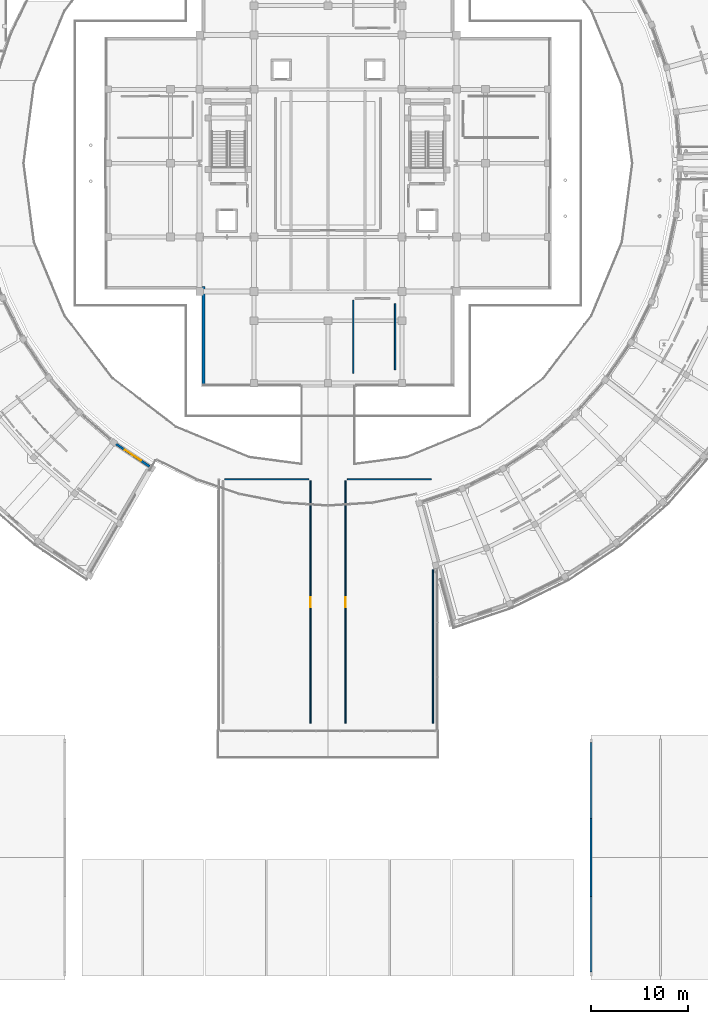
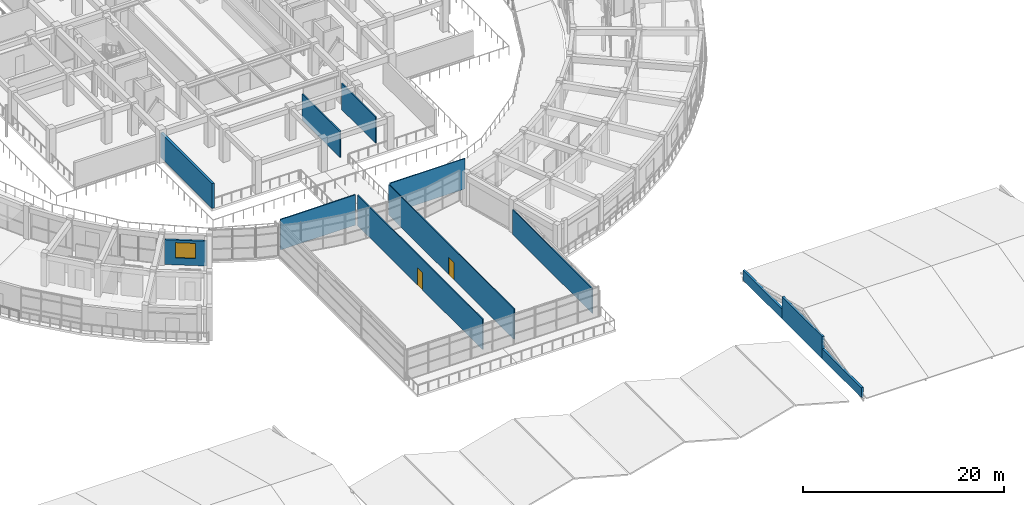
# One storey, part 54 of 83: 12 walls, 2 doors, 1 window, 3 openings.
"""IFC4 building model written with IfcOpenShell, lengths in metres."""

from ifc_helpers import new_model, si_unit, direction, frame, frame_2d, origin, place, context, subcontext, project, spatial, rectangle, extrude, material, layer, layer_set, type_object, element, fill, save


model = new_model("IFC4")

# Units and contexts
model_context = context("Model", 3, precision=1e-05, world=origin(), true_north=direction((0.0, 1.0)))
body_context = subcontext(model_context, "Body", "Model", "MODEL_VIEW")
ifc_project = project(units=[si_unit("LENGTHUNIT", "METRE"), si_unit("AREAUNIT", "SQUARE_METRE"), si_unit("VOLUMEUNIT", "CUBIC_METRE"), si_unit("PLANEANGLEUNIT", "RADIAN"), si_unit("MASSUNIT", "GRAM", prefix="KILO")], contexts=[model_context])

# Site, building, storey
site_placement = place(None, origin())
site = spatial("IfcSite", under=ifc_project, at=site_placement, CompositionType="ELEMENT")
building_placement = place(site_placement, origin())
building = spatial("IfcBuilding", under=site, at=building_placement, Name="Saryqyr Civic Hall", CompositionType="ELEMENT")
storey_placement = place(building_placement, frame((0.0, 0.0, 9.14990234375)))
storey = spatial("IfcBuildingStorey", under=building, at=storey_placement, Name="L02", CompositionType="ELEMENT", Elevation=9.14990234375)

# Wall, opening, window
ifc_material_1 = material(Name="Precast concrete C40/50", Category="concrete")
ifc_layer_1 = layer(ifc_material_1, 0.239990234375, Name="Precast concrete C40/50")
ifc_layer_set_1 = layer_set([ifc_layer_1], Name="Precast concrete C40/50")
wall_type_1 = type_object("IfcWallType", Name="ENV-WAL-EXT-240", PredefinedType="STANDARD", material=ifc_layer_set_1)
wall_1_placement = place(storey_placement, frame((35.19775390625, 55.12353515625, 0.0), z_axis=(0.0, 0.0, 1.0), x_axis=(0.831482404849, -0.555551087144, 0.0)))
wall_1 = element("IfcWall", 1, at=wall_1_placement, inside=storey, type_object=wall_type_1, Name="Exterior wall V4-EWI-L02-09", PredefinedType="STANDARD", context=body_context, shape_type="SweptSolid", body=[
    extrude(rectangle(XDim=4.169921875, YDim=0.239990234375, at=frame_2d((2.0849609375, 0.0))), origin(), (0.0, 0.0, 1.0), 3.01513671875),
])
opening_1_placement = place(wall_1_placement, frame((1.0849609375, 0.0, 0.85009765625)))
opening_1 = element("IfcOpeningElement", 2, at=opening_1_placement, cuts=wall_1, Name="Opening W-28", PredefinedType="OPENING", context=body_context, shape_type="SweptSolid", body=[
    extrude(rectangle(XDim=2.0, YDim=1.85009765625, at=frame_2d((1.0, 0.925048828125))), frame((0.0, 0.1298828125, 0.0), z_axis=(0.0, -1.0, 0.0), x_axis=(1.0, 0.0, 0.0)), (0.0, 0.0, 1.0), 0.260009765625),
])
ifc_material_2 = material(Name="Anodised aluminium and triple low-E glass", Category="aluminium")
window_type = type_object("IfcWindowType", Name="ENV-WIN-W28", PartitioningType="SINGLE_PANEL", PredefinedType="WINDOW", material=ifc_material_2)
window_placement = place(opening_1_placement, origin())
window = element("IfcWindow", 3, at=window_placement, inside=storey, type_object=window_type, Name="Courtyard window V4-L02-09", OverallHeight=1.85009765625, OverallWidth=2.0, PartitioningType="SINGLE_PANEL", PredefinedType="WINDOW", context=body_context, shape_type="SweptSolid", body=[
    extrude(rectangle(XDim=2.0, YDim=1.85009765625, at=frame_2d((1.0, 0.925048828125))), frame((0.0, 0.030029296875, 0.0), z_axis=(0.0, -1.0, 0.0), x_axis=(1.0, 0.0, 0.0)), (0.0, 0.0, 1.0), 0.06005859375),
])
fill(opening_1, window)

# Walls
wall_2_placement = place(storey_placement, frame((84.050048828125, 0.800048828125, -0.39990234375), z_axis=(0.0, 0.0, 1.0), x_axis=(0.0, 1.0, 0.0)))
element("IfcWall", 4, at=wall_2_placement, inside=storey, type_object=wall_type_1, Name="Boulevard gatehouse gable wall E-W1", PredefinedType="STANDARD", context=body_context, shape_type="SweptSolid", body=[
    extrude(rectangle(XDim=7.800048828125, YDim=0.239990234375, at=frame_2d((3.89990234375, 0.0))), origin(), (0.0, 0.0, 1.0), 1.199951171875),
])
wall_3_placement = place(storey_placement, frame((84.050048828125, 8.60009765625, -0.39990234375), z_axis=(0.0, 0.0, 1.0), x_axis=(0.0, 1.0, 0.0)))
element("IfcWall", 5, at=wall_3_placement, inside=storey, type_object=wall_type_1, Name="Boulevard gatehouse gable wall E-W2", PredefinedType="STANDARD", context=body_context, shape_type="SweptSolid", body=[
    extrude(rectangle(XDim=8.0, YDim=0.239990234375, at=frame_2d((4.0, 0.0))), origin(), (0.0, 0.0, 1.0), 2.699951171875),
])
wall_4_placement = place(storey_placement, frame((84.050048828125, 16.60009765625, -0.39990234375), z_axis=(0.0, 0.0, 1.0), x_axis=(0.0, 1.0, 0.0)))
element("IfcWall", 6, at=wall_4_placement, inside=storey, type_object=wall_type_1, Name="Boulevard gatehouse gable wall E-W3", PredefinedType="STANDARD", context=body_context, shape_type="SweptSolid", body=[
    extrude(rectangle(XDim=7.7998046875, YDim=0.239990234375, at=frame_2d((3.89990234375, 0.0))), origin(), (0.0, 0.0, 1.0), 1.199951171875),
])
ifc_layer_2 = layer(ifc_material_1, 0.27001953125, Name="Precast concrete C40/50")
ifc_layer_set_2 = layer_set([ifc_layer_2], Name="Precast concrete C40/50")
wall_type_2 = type_object("IfcWallType", Name="ENV-WAL-EXT-270", PredefinedType="STANDARD", material=ifc_layer_set_2)
wall_5_placement = place(storey_placement, frame((44.199951171875, 61.080078125, 0.0), z_axis=(0.0, 0.0, 1.0), x_axis=(0.0, 1.0, 0.0)))
element("IfcWall", 7, at=wall_5_placement, inside=storey, type_object=wall_type_2, Name="Exterior wall V1-EW-L02-00", PredefinedType="STANDARD", context=body_context, shape_type="SweptSolid", body=[
    extrude(rectangle(XDim=10.239990234375, YDim=0.27001953125, at=frame_2d((5.1201171875, 0.0))), origin(), (0.0, 0.0, 1.0), 3.01513671875),
])

# Wall, opening, door
ifc_material_3 = material(Name="Moisture-resistant gypsum partition", Category="gypsum")
ifc_layer_3 = layer(ifc_material_3, 0.110107421875, Name="Moisture-resistant gypsum partition")
ifc_layer_set_3 = layer_set([ifc_layer_3], Name="Moisture-resistant gypsum partition")
wall_type_3 = type_object("IfcWallType", Name="INT-WAL-PRT-110", PredefinedType="PARTITIONING", material=ifc_layer_set_3)
wall_6_placement = place(storey_placement, frame((58.800048828125, 26.3798828125, 0.0), z_axis=(0.0, 0.0, 1.0), x_axis=(0.0, 1.0, 0.0)))
wall_6 = element("IfcWall", 8, at=wall_6_placement, inside=storey, type_object=wall_type_3, Name="Interior partition PRT-SP-V2-L02-SEGAL-W1", PredefinedType="PARTITIONING", context=body_context, shape_type="SweptSolid", body=[
    extrude(rectangle(XDim=24.940185546875, YDim=0.110107421875, at=frame_2d((12.47021484375, 0.0))), origin(), (0.0, 0.0, 1.0), 3.690185546875),
])
opening_2_placement = place(wall_6_placement, frame((11.945068359375, 0.0, 0.0)))
opening_2 = element("IfcOpeningElement", 9, at=opening_2_placement, cuts=wall_6, Name="Opening D-04", PredefinedType="OPENING", context=body_context, shape_type="SweptSolid", body=[
    extrude(rectangle(XDim=1.050048828125, YDim=2.10009765625, at=frame_2d((0.52490234375, 1.050048828125))), frame((0.0, 0.06494140625, 0.0), z_axis=(0.0, -1.0, 0.0), x_axis=(1.0, 0.0, 0.0)), (0.0, 0.0, 1.0), 0.130126953125),
])
ifc_material_4 = material(Name="Acoustic solid-core oak veneer", Category="wood")
door_type_1 = type_object("IfcDoorType", Name="INT-DR-D-04", OperationType="NOTDEFINED", PredefinedType="DOOR", material=ifc_material_4)
door_1_placement = place(opening_2_placement, origin())
door_1 = element("IfcDoor", 10, at=door_1_placement, inside=storey, type_object=door_type_1, Name="Interior door South-East Skylight Exhibition Gallery", OperationType="SINGLE_SWING_RIGHT", OverallHeight=2.10009765625, OverallWidth=1.050048828125, PredefinedType="DOOR", context=body_context, shape_type="SweptSolid", body=[
    extrude(rectangle(XDim=1.050048828125, YDim=2.10009765625, at=frame_2d((0.52490234375, 1.050048828125))), frame((0.0, 0.02490234375, 0.0), z_axis=(0.0, -1.0, 0.0), x_axis=(1.0, 0.0, 0.0)), (0.0, 0.0, 1.0), 0.050048828125),
])
fill(opening_2, door_1)

# Walls
wall_7_placement = place(storey_placement, frame((67.800048828125, 42.216552734375, 0.0), z_axis=(0.0, 0.0, 1.0), x_axis=(0.0, -1.0, 0.0)))
element("IfcWall", 11, at=wall_7_placement, inside=storey, type_object=wall_type_3, Name="Interior partition PRT-SP-V2-L02-SEGAL-W2", PredefinedType="PARTITIONING", context=body_context, shape_type="SweptSolid", body=[
    extrude(rectangle(XDim=15.836669921875, YDim=0.110107421875, at=frame_2d((7.91845703125, 0.0))), origin(), (0.0, 0.0, 1.0), 3.01513671875),
])
wall_8_placement = place(storey_placement, frame((58.97998046875, 51.5, 0.0), z_axis=(0.0, 0.0, 1.0), x_axis=(1.0, 0.0, 0.0)))
element("IfcWall", 12, at=wall_8_placement, inside=storey, type_object=wall_type_3, Name="Interior partition PRT-SP-V2-L02-SEGAL-W3", PredefinedType="PARTITIONING", context=body_context, shape_type="SweptSolid", body=[
    extrude(rectangle(XDim=8.64013671875, YDim=0.110107421875, at=frame_2d((4.320068359375, 0.0))), origin(), (0.0, 0.0, 1.0), 3.690185546875),
])

# Wall, opening, door
ifc_material_5 = material(Name="Metal-stud gypsum board partition", Category="gypsum")
ifc_layer_4 = layer(ifc_material_5, 0.125, Name="Metal-stud gypsum board partition")
ifc_layer_set_4 = layer_set([ifc_layer_4], Name="Metal-stud gypsum board partition")
wall_type_4 = type_object("IfcWallType", Name="INT-WAL-PRT-125", PredefinedType="PARTITIONING", material=ifc_layer_set_4)
wall_9_placement = place(storey_placement, frame((55.199951171875, 51.320068359375, 0.0), z_axis=(0.0, 0.0, 1.0), x_axis=(0.0, -1.0, 0.0)))
wall_9 = element("IfcWall", 13, at=wall_9_placement, inside=storey, type_object=wall_type_4, Name="Interior partition PRT-SP-V2-L02-SGAL-W1", PredefinedType="PARTITIONING", context=body_context, shape_type="SweptSolid", body=[
    extrude(rectangle(XDim=24.940185546875, YDim=0.125, at=frame_2d((12.47021484375, 0.0))), origin(), (0.0, 0.0, 1.0), 3.690185546875),
])
opening_3_placement = place(wall_9_placement, frame((11.969970703125, 0.0, 0.0)))
opening_3 = element("IfcOpeningElement", 14, at=opening_3_placement, cuts=wall_9, Name="Opening D-03", PredefinedType="OPENING", context=body_context, shape_type="SweptSolid", body=[
    extrude(rectangle(XDim=1.0, YDim=2.10009765625, at=frame_2d((0.5, 1.050048828125))), frame((0.0, 0.072509765625, 0.0), z_axis=(0.0, -1.0, 0.0), x_axis=(1.0, 0.0, 0.0)), (0.0, 0.0, 1.0), 0.14501953125),
])
door_type_2 = type_object("IfcDoorType", Name="INT-DR-D-03", OperationType="NOTDEFINED", PredefinedType="DOOR", material=ifc_material_4)
door_2_placement = place(opening_3_placement, origin())
door_2 = element("IfcDoor", 15, at=door_2_placement, inside=storey, type_object=door_type_2, Name="Interior door South-West Skylight Exhibition Promenade", OperationType="SINGLE_SWING_LEFT", OverallHeight=2.10009765625, OverallWidth=1.0, PredefinedType="DOOR", context=body_context, shape_type="SweptSolid", body=[
    extrude(rectangle(XDim=1.0, YDim=2.10009765625, at=frame_2d((0.5, 1.050048828125))), frame((0.0, 0.02490234375, 0.0), z_axis=(0.0, -1.0, 0.0), x_axis=(1.0, 0.0, 0.0)), (0.0, 0.0, 1.0), 0.050048828125),
])
fill(opening_3, door_2)

# Walls
wall_10_placement = place(storey_placement, frame((46.3798828125, 51.5, 0.0), z_axis=(0.0, 0.0, 1.0), x_axis=(1.0, 0.0, 0.0)))
element("IfcWall", 16, at=wall_10_placement, inside=storey, type_object=wall_type_4, Name="Interior partition PRT-SP-V2-L02-SGAL-W3", PredefinedType="PARTITIONING", context=body_context, shape_type="SweptSolid", body=[
    extrude(rectangle(XDim=8.64013671875, YDim=0.125, at=frame_2d((4.320068359375, 0.0))), origin(), (0.0, 0.0, 1.0), 3.690185546875),
])
ifc_layer_5 = layer(ifc_material_5, 0.139892578125, Name="Metal-stud gypsum board partition")
ifc_layer_set_5 = layer_set([ifc_layer_5], Name="Metal-stud gypsum board partition")
wall_type_5 = type_object("IfcWallType", Name="INT-WAL-PRT-140", PredefinedType="PARTITIONING", material=ifc_layer_set_5)
wall_11_placement = place(storey_placement, frame((59.60009765625, 62.3798828125, 0.0), z_axis=(0.0, 0.0, 1.0), x_axis=(0.0, 1.0, 0.0)))
element("IfcWall", 17, at=wall_11_placement, inside=storey, type_object=wall_type_5, Name="Interior partition PRT-SP-V1-L02-R02-W2", PredefinedType="PARTITIONING", context=body_context, shape_type="SweptSolid", body=[
    extrude(rectangle(XDim=7.5400390625, YDim=0.139892578125, at=frame_2d((3.77001953125, 0.0))), origin(), (0.0, 0.0, 1.0), 3.1650390625),
])
wall_12_placement = place(storey_placement, frame((63.89990234375, 69.550048828125, 0.0), z_axis=(0.0, 0.0, 1.0), x_axis=(0.0, -1.0, 0.0)))
element("IfcWall", 18, at=wall_12_placement, inside=storey, type_object=wall_type_5, Name="Interior partition PRT-SP-V1-L02-R02-W3", PredefinedType="PARTITIONING", context=body_context, shape_type="SweptSolid", body=[
    extrude(rectangle(XDim=6.800048828125, YDim=0.139892578125, at=frame_2d((3.39990234375, 0.0))), origin(), (0.0, 0.0, 1.0), 3.1650390625),
])

save(model, "model.ifc")
